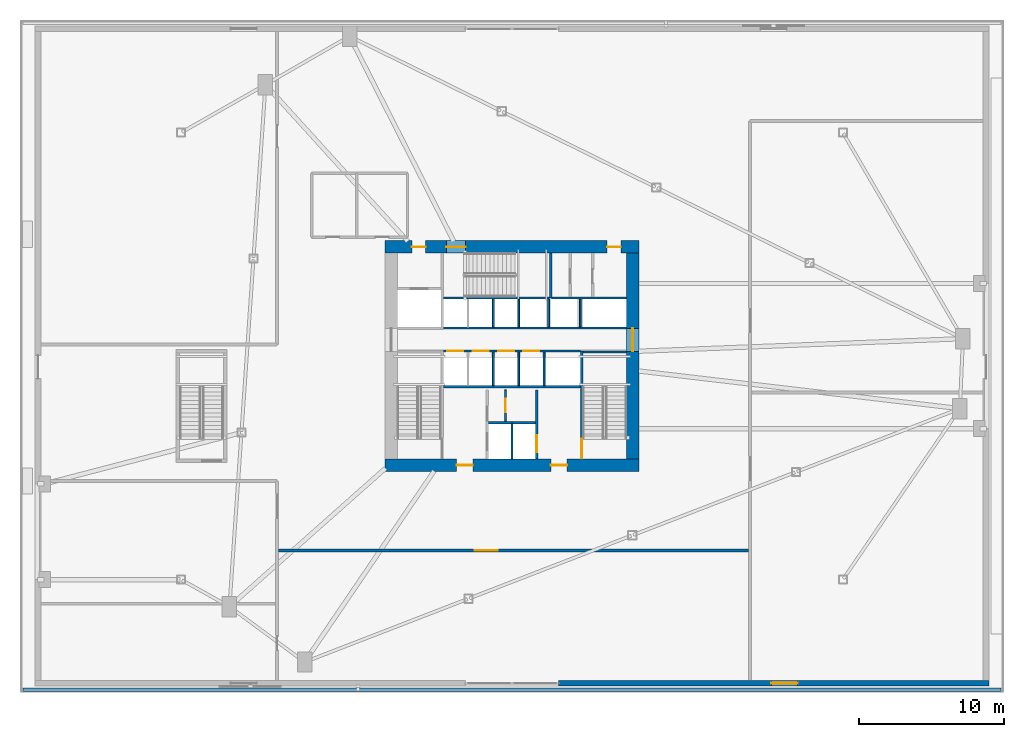
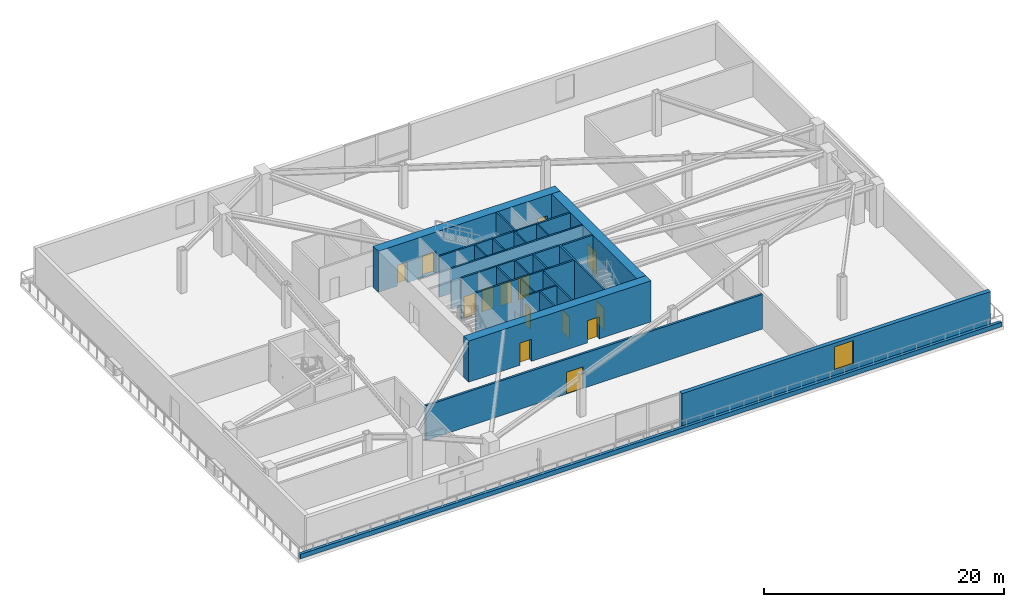
# One storey, part 9 of 16: 25 walls, 14 doors, 1 window, 15 openings.
"""IFC4 building model written with IfcOpenShell, lengths in metres."""

from ifc_helpers import new_model, si_unit, direction, frame, frame_2d, origin, place, context, subcontext, project, spatial, rectangle, extrude, source, transform, mapped, material, layer, layer_set, type_object, type_shapes, element, fill, save


model = new_model("IFC4")

# Units and contexts
model_context = context("Model", 3, precision=1e-05, world=origin(), true_north=direction((0.0, 1.0)))
body_context = subcontext(model_context, "Body", "Model", "MODEL_VIEW")
ifc_project = project(units=[si_unit("LENGTHUNIT", "METRE"), si_unit("AREAUNIT", "SQUARE_METRE"), si_unit("VOLUMEUNIT", "CUBIC_METRE"), si_unit("PLANEANGLEUNIT", "RADIAN"), si_unit("MASSUNIT", "GRAM", prefix="KILO")], contexts=[model_context])

# Site, building, storey
site_placement = place(None, origin())
site = spatial("IfcSite", under=ifc_project, at=site_placement, CompositionType="ELEMENT")
building_placement = place(site_placement, origin())
building = spatial("IfcBuilding", under=site, at=building_placement, Name="Olszyna Solenne Hotel", CompositionType="ELEMENT")
storey_placement = place(building_placement, frame((0.0, 0.0, 15.60009765625)))
storey = spatial("IfcBuildingStorey", under=building, at=storey_placement, Name="L03", CompositionType="ELEMENT", Elevation=15.60009765625)

# Wall, openings, doors
ifc_material_1 = material(Name="Concrete C60/75", Category="concrete")
ifc_layer_1 = layer(ifc_material_1, 0.85009765625, Name="Concrete C60/75")
ifc_layer_set_1 = layer_set([ifc_layer_1], Name="Concrete C60/75")
wall_type_1 = type_object("IfcWallType", Name="WL-CR850", PredefinedType="SHEAR", material=ifc_layer_set_1)
wall_1_placement = place(storey_placement, frame((46.75, 19.074951171875, 0.0), z_axis=(0.0, 0.0, 1.0), x_axis=(-1.0, 0.0, 0.0)))
wall_1 = element("IfcWall", 1, at=wall_1_placement, inside=storey, type_object=wall_type_1, Name="Core shear wall WL-CR850 CRW-L03-S", PredefinedType="SHEAR", context=body_context, shape_type="SweptSolid", body=[
    extrude(rectangle(XDim=17.5, YDim=0.85009765625, at=frame_2d((8.75, 0.0))), origin(), (0.0, 0.0, 1.0), 4.179931640625),
])
opening_1_placement = place(wall_1_placement, frame((4.949951171875, 0.0, 0.0)))
opening_1 = element("IfcOpeningElement", 2, at=opening_1_placement, cuts=wall_1, Name="Opening FL-L03-1", PredefinedType="OPENING", context=body_context, shape_type="SweptSolid", body=[
    extrude(rectangle(XDim=1.1201171875, YDim=2.25, at=frame_2d((0.56005859375, 1.125))), frame((0.0, 0.43505859375, 0.0), z_axis=(0.0, -1.0, 0.0), x_axis=(1.0, 0.0, 0.0)), (0.0, 0.0, 1.0), 0.8701171875),
])
opening_2_placement = place(wall_1_placement, frame((11.449951171875, 0.0, 0.0)))
opening_2 = element("IfcOpeningElement", 3, at=opening_2_placement, cuts=wall_1, Name="Opening FL-L03-2", PredefinedType="OPENING", context=body_context, shape_type="SweptSolid", body=[
    extrude(rectangle(XDim=1.1201171875, YDim=2.25, at=frame_2d((0.56005859375, 1.125))), frame((0.0, 0.43505859375, 0.0), z_axis=(0.0, -1.0, 0.0), x_axis=(1.0, 0.0, 0.0)), (0.0, 0.0, 1.0), 0.8701171875),
])
ifc_material_2 = material(Name="Steel S355J2", Category="steel")
door_type_1 = type_object("IfcDoorType", Name="DR-FL1", OperationType="NOTDEFINED", PredefinedType="DOOR", material=ifc_material_2)
shared_shape_1 = source(origin(), body_context, "Body", "SweptSolid", [
    extrude(rectangle(XDim=1.1201171875, YDim=2.25, at=frame_2d((0.56005859375, 1.125))), frame((0.0, 0.02490234375, 0.0), z_axis=(0.0, -1.0, 0.0), x_axis=(1.0, 0.0, 0.0)), (0.0, 0.0, 1.0), 0.050048828125),
])
type_shapes(door_type_1, [shared_shape_1])
door_1_placement = place(opening_1_placement, origin())
door_1 = element("IfcDoor", 4, at=door_1_placement, inside=storey, type_object=door_type_1, Name="Firefighting lift lobby smoke door FL-L03-1", OperationType="SINGLE_SWING_LEFT", OverallHeight=2.25, OverallWidth=1.1201171875, PredefinedType="DOOR", context=body_context, shape_type="MappedRepresentation", body=[
    mapped(shared_shape_1, transform((0.0, 0.0, 0.0), x_axis=(1.0, 0.0, 0.0), y_axis=(0.0, 1.0, 0.0), z_axis=(0.0, 0.0, 1.0), scale=1.0)),
])
fill(opening_1, door_1)
door_2_placement = place(opening_2_placement, origin())
door_2 = element("IfcDoor", 5, at=door_2_placement, inside=storey, type_object=door_type_1, Name="Firefighting lift lobby smoke door FL-L03-2", OperationType="SINGLE_SWING_RIGHT", OverallHeight=2.25, OverallWidth=1.1201171875, PredefinedType="DOOR", context=body_context, shape_type="MappedRepresentation", body=[
    mapped(shared_shape_1, transform((0.0, 0.0, 0.0), x_axis=(1.0, 0.0, 0.0), y_axis=(0.0, 1.0, 0.0), z_axis=(0.0, 0.0, 1.0), scale=1.0)),
])
fill(opening_2, door_2)

wall_2_placement = place(storey_placement, frame((29.25, 34.125, 0.0), z_axis=(0.0, 0.0, 1.0), x_axis=(1.0, 0.0, 0.0)))
wall_2 = element("IfcWall", 6, at=wall_2_placement, inside=storey, type_object=wall_type_1, Name="Core shear wall WL-CR850 CRW-L03-N", PredefinedType="SHEAR", context=body_context, shape_type="SweptSolid", body=[
    extrude(rectangle(XDim=17.5, YDim=0.85009765625, at=frame_2d((8.75, 0.0))), origin(), (0.0, 0.0, 1.0), 4.179931640625),
])
opening_3_placement = place(wall_2_placement, frame((1.85009765625, 0.0, 0.0)))
opening_3 = element("IfcOpeningElement", 7, at=opening_3_placement, cuts=wall_2, Name="Opening SVD-L03-01", PredefinedType="OPENING", context=body_context, shape_type="SweptSolid", body=[
    extrude(rectangle(XDim=0.949951171875, YDim=2.10009765625, at=frame_2d((0.47509765625, 1.050048828125))), frame((0.0, 0.43505859375, 0.0), z_axis=(0.0, -1.0, 0.0), x_axis=(1.0, 0.0, 0.0)), (0.0, 0.0, 1.0), 0.8701171875),
])
opening_4_placement = place(wall_2_placement, frame((4.22998046875, 0.0, 0.0)))
opening_4 = element("IfcOpeningElement", 8, at=opening_4_placement, cuts=wall_2, Name="Opening STD-L03-03", PredefinedType="OPENING", context=body_context, shape_type="SweptSolid", body=[
    extrude(rectangle(XDim=1.320068359375, YDim=2.199951171875, at=frame_2d((0.66015625, 1.10009765625))), frame((0.0, 0.43505859375, 0.0), z_axis=(0.0, -1.0, 0.0), x_axis=(1.0, 0.0, 0.0)), (0.0, 0.0, 1.0), 0.8701171875),
])
opening_5_placement = place(wall_2_placement, frame((15.300048828125, 0.0, 0.0)))
opening_5 = element("IfcOpeningElement", 9, at=opening_5_placement, cuts=wall_2, Name="Opening SVD-L03-BN", PredefinedType="OPENING", context=body_context, shape_type="SweptSolid", body=[
    extrude(rectangle(XDim=0.949951171875, YDim=2.10009765625, at=frame_2d((0.47509765625, 1.050048828125))), frame((0.0, 0.43505859375, 0.0), z_axis=(0.0, -1.0, 0.0), x_axis=(1.0, 0.0, 0.0)), (0.0, 0.0, 1.0), 0.8701171875),
])
door_type_2 = type_object("IfcDoorType", Name="DR-ST1", OperationType="NOTDEFINED", PredefinedType="DOOR", material=ifc_material_2)
shared_shape_2 = source(origin(), body_context, "Body", "SweptSolid", [
    extrude(rectangle(XDim=1.320068359375, YDim=2.199951171875, at=frame_2d((0.66015625, 1.10009765625))), frame((0.0, 0.02490234375, 0.0), z_axis=(0.0, -1.0, 0.0), x_axis=(1.0, 0.0, 0.0)), (0.0, 0.0, 1.0), 0.050048828125),
])
type_shapes(door_type_2, [shared_shape_2])
door_3_placement = place(opening_4_placement, origin())
door_3 = element("IfcDoor", 10, at=door_3_placement, inside=storey, type_object=door_type_2, Name="Pressurised exit stair ST3 fire door STD-L03-03", OperationType="SINGLE_SWING_RIGHT", OverallHeight=2.199951171875, OverallWidth=1.320068359375, PredefinedType="DOOR", context=body_context, shape_type="MappedRepresentation", body=[
    mapped(shared_shape_2, transform((0.0, 0.0, 0.0), x_axis=(1.0, 0.0, 0.0), y_axis=(0.0, 1.0, 0.0), z_axis=(0.0, 0.0, 1.0), scale=1.0)),
])
fill(opening_4, door_3)
door_type_3 = type_object("IfcDoorType", Name="DR-SV1", OperationType="NOTDEFINED", PredefinedType="DOOR", material=ifc_material_2)
shared_shape_3 = source(origin(), body_context, "Body", "SweptSolid", [
    extrude(rectangle(XDim=0.949951171875, YDim=2.10009765625, at=frame_2d((0.47509765625, 1.050048828125))), frame((0.0, 0.02490234375, 0.0), z_axis=(0.0, -1.0, 0.0), x_axis=(1.0, 0.0, 0.0)), (0.0, 0.0, 1.0), 0.050048828125),
])
type_shapes(door_type_3, [shared_shape_3])
door_4_placement = place(opening_3_placement, origin())
door_4 = element("IfcDoor", 11, at=door_4_placement, inside=storey, type_object=door_type_3, Name="Service lift lobby fire door SVD-L03-01", OperationType="SINGLE_SWING_LEFT", OverallHeight=2.10009765625, OverallWidth=0.949951171875, PredefinedType="DOOR", context=body_context, shape_type="MappedRepresentation", body=[
    mapped(shared_shape_3, transform((0.0, 0.0, 0.0), x_axis=(1.0, 0.0, 0.0), y_axis=(0.0, 1.0, 0.0), z_axis=(0.0, 0.0, 1.0), scale=1.0)),
])
fill(opening_3, door_4)
door_5_placement = place(opening_5_placement, origin())
door_5 = element("IfcDoor", 12, at=door_5_placement, inside=storey, type_object=door_type_3, Name="Housekeeping core fire door SVD-L03-BN", OperationType="SINGLE_SWING_LEFT", OverallHeight=2.10009765625, OverallWidth=0.949951171875, PredefinedType="DOOR", context=body_context, shape_type="MappedRepresentation", body=[
    mapped(shared_shape_3, transform((0.0, 0.0, 0.0), x_axis=(1.0, 0.0, 0.0), y_axis=(0.0, 1.0, 0.0), z_axis=(0.0, 0.0, 1.0), scale=1.0)),
])
fill(opening_5, door_5)

# Wall, opening, door
wall_3_placement = place(storey_placement, frame((46.324951171875, 33.699951171875, 0.0), z_axis=(0.0, 0.0, 1.0), x_axis=(0.0, -1.0, 0.0)))
wall_3 = element("IfcWall", 13, at=wall_3_placement, inside=storey, type_object=wall_type_1, Name="Core shear wall WL-CR850 CRW-L03-E", PredefinedType="SHEAR", context=body_context, shape_type="SweptSolid", body=[
    extrude(rectangle(XDim=14.199951171875, YDim=0.85009765625, at=frame_2d((7.10009765625, 0.0))), origin(), (0.0, 0.0, 1.0), 4.179931640625),
])
opening_6_placement = place(wall_3_placement, frame((5.179931640625, 0.0, 0.0)))
opening_6 = element("IfcOpeningElement", 14, at=opening_6_placement, cuts=wall_3, Name="Opening LHD-L03-E", PredefinedType="OPENING", context=body_context, shape_type="SweptSolid", body=[
    extrude(rectangle(XDim=1.60009765625, YDim=2.199951171875, at=frame_2d((0.800048828125, 1.10009765625))), frame((0.0, 0.43505859375, 0.0), z_axis=(0.0, -1.0, 0.0), x_axis=(1.0, 0.0, 0.0)), (0.0, 0.0, 1.0), 0.8701171875),
])
ifc_material_3 = material(Name="Timber hardwood", Category="wood")
door_type_4 = type_object("IfcDoorType", Name="DR-CR1", OperationType="DOUBLE_DOOR_SINGLE_SWING", PredefinedType="DOOR", material=ifc_material_3)
shared_shape_4 = source(origin(), body_context, "Body", "SweptSolid", [
    extrude(rectangle(XDim=1.60009765625, YDim=2.199951171875, at=frame_2d((0.800048828125, 1.10009765625))), frame((0.0, 0.02490234375, 0.0), z_axis=(0.0, -1.0, 0.0), x_axis=(1.0, 0.0, 0.0)), (0.0, 0.0, 1.0), 0.050048828125),
])
type_shapes(door_type_4, [shared_shape_4])
door_6_placement = place(opening_6_placement, origin())
door_6 = element("IfcDoor", 15, at=door_6_placement, inside=storey, type_object=door_type_4, Name="Passenger lift lobby East fire door LHD-L03-E", OperationType="DOUBLE_DOOR_SINGLE_SWING", OverallHeight=2.199951171875, OverallWidth=1.60009765625, PredefinedType="DOOR", context=body_context, shape_type="MappedRepresentation", body=[
    mapped(shared_shape_4, transform((0.0, 0.0, 0.0), x_axis=(1.0, 0.0, 0.0), y_axis=(0.0, 1.0, 0.0), z_axis=(0.0, 0.0, 1.0), scale=1.0)),
])
fill(opening_6, door_6)

# Wall, opening, window
ifc_material_4 = material(Name="Terracotta cladding on precast concrete C45/55", Category="masonry")
ifc_layer_2 = layer(ifc_material_4, 0.3798828125, Name="Terracotta cladding on precast concrete C45/55")
ifc_layer_set_2 = layer_set([ifc_layer_2], Name="Terracotta cladding on precast concrete C45/55")
wall_type_2 = type_object("IfcWallType", Name="WL-EX380", PredefinedType="SOLIDWALL", material=ifc_layer_set_2)
wall_4_placement = place(storey_placement, frame((70.85009765625, 4.050048828125, 0.0), z_axis=(0.0, 0.0, 1.0), x_axis=(-1.0, 0.0, 0.0)))
wall_4 = element("IfcWall", 16, at=wall_4_placement, inside=storey, type_object=wall_type_2, Name="Podium terracotta-precast exterior wall EW-L03-SE", PredefinedType="SOLIDWALL", context=body_context, shape_type="SweptSolid", body=[
    extrude(rectangle(XDim=29.650146484375, YDim=0.3798828125, at=frame_2d((14.8251953125, 0.0))), origin(), (0.0, 0.0, 1.0), 3.621826171875),
])
opening_7_placement = place(wall_4_placement, frame((13.175048828125, 0.0, 0.85009765625)))
opening_7 = element("IfcOpeningElement", 17, at=opening_7_placement, cuts=wall_4, Name="Opening WN-L03-013", PredefinedType="OPENING", context=body_context, shape_type="SweptSolid", body=[
    extrude(rectangle(XDim=1.800048828125, YDim=2.39990234375, at=frame_2d((0.89990234375, 1.199951171875))), frame((0.0, 0.199951171875, 0.0), z_axis=(0.0, -1.0, 0.0), x_axis=(1.0, 0.0, 0.0)), (0.0, 0.0, 1.0), 0.39990234375),
])
ifc_material_5 = material(Name="Low-E triple glazing", Category="glass")
window_type = type_object("IfcWindowType", Name="WN-PD2", PartitioningType="SINGLE_PANEL", PredefinedType="WINDOW", material=ifc_material_5)
shared_shape_5 = source(origin(), body_context, "Body", "SweptSolid", [
    extrude(rectangle(XDim=1.800048828125, YDim=2.39990234375, at=frame_2d((0.89990234375, 1.199951171875))), frame((0.0, 0.030029296875, 0.0), z_axis=(0.0, -1.0, 0.0), x_axis=(1.0, 0.0, 0.0)), (0.0, 0.0, 1.0), 0.06005859375),
])
type_shapes(window_type, [shared_shape_5])
window_placement = place(opening_7_placement, origin())
window = element("IfcWindow", 18, at=window_placement, inside=storey, type_object=window_type, Name="Podium triple-glazed window WN-PD2 WN-L03-013", OverallHeight=2.39990234375, OverallWidth=1.800048828125, PartitioningType="SINGLE_PANEL", PredefinedType="WINDOW", context=body_context, shape_type="MappedRepresentation", body=[
    mapped(shared_shape_5, transform((0.0, 0.0, 0.0), x_axis=(1.0, 0.0, 0.0), y_axis=(0.0, 1.0, 0.0), z_axis=(0.0, 0.0, 1.0), scale=1.0)),
])
fill(opening_7, window)

# Walls
ifc_layer_3 = layer(ifc_material_4, 0.280029296875, Name="Terracotta cladding on precast concrete C45/55")
ifc_layer_set_3 = layer_set([ifc_layer_3], Name="Terracotta cladding on precast concrete C45/55")
wall_type_3 = type_object("IfcWallType", Name="WL-PR280", PredefinedType="PARAPET", material=ifc_layer_set_3)
wall_5_placement = place(storey_placement, frame((4.300048828125, 3.60009765625, 0.0), z_axis=(0.0, 0.0, 1.0), x_axis=(1.0, 0.0, 0.0)))
element("IfcWall", 19, at=wall_5_placement, inside=storey, type_object=wall_type_3, Name="Garden terrace parapet upstand PR-L03-S", PredefinedType="PARAPET", context=body_context, shape_type="SweptSolid", body=[
    extrude(rectangle(XDim=67.39990234375, YDim=0.280029296875, at=frame_2d((33.699951171875, 0.0))), origin(), (0.0, 0.0, 1.0), 0.449951171875),
])
ifc_material_6 = material(Name="Acoustic gypsum partition", Category="gypsum")
ifc_layer_4 = layer(ifc_material_6, 0.125, Name="Acoustic gypsum partition")
ifc_layer_set_4 = layer_set([ifc_layer_4], Name="Acoustic gypsum partition")
wall_type_4 = type_object("IfcWallType", Name="WL-PT125", PredefinedType="PARTITIONING", material=ifc_layer_set_4)
wall_6_placement = place(storey_placement, frame((38.0, 19.5, 0.0), z_axis=(0.0, 0.0, 1.0), x_axis=(0.0, 1.0, 0.0)))
element("IfcWall", 20, at=wall_6_placement, inside=storey, type_object=wall_type_4, Name="Core shaft compartment wall CW-L03-FFM", PredefinedType="PARTITIONING", context=body_context, shape_type="SweptSolid", body=[
    extrude(rectangle(XDim=2.4599609375, YDim=0.125, at=frame_2d((1.22998046875, 0.0))), origin(), (0.0, 0.0, 1.0), 4.179931640625),
])

# Wall, opening, door
wall_7_placement = place(storey_placement, frame((37.553955078125, 22.10009765625, 0.0), z_axis=(0.0, 0.0, 1.0), x_axis=(0.0, 1.0, 0.0)))
wall_7 = element("IfcWall", 21, at=wall_7_placement, inside=storey, type_object=wall_type_4, Name="Core shaft compartment wall CW-L03-SC3", PredefinedType="PARTITIONING", context=body_context, shape_type="SweptSolid", body=[
    extrude(rectangle(XDim=2.179931640625, YDim=0.125, at=frame_2d((1.08984375, 0.0))), origin(), (0.0, 0.0, 1.0), 4.179931640625),
])
opening_8_placement = place(wall_7_placement, frame((0.64990234375, 0.0, 0.0)))
opening_8 = element("IfcOpeningElement", 22, at=opening_8_placement, cuts=wall_7, Name="Opening SVD-L03-SC3", PredefinedType="OPENING", context=body_context, shape_type="SweptSolid", body=[
    extrude(rectangle(XDim=0.89990234375, YDim=2.10009765625, at=frame_2d((0.449951171875, 1.050048828125))), frame((0.0, 0.072509765625, 0.0), z_axis=(0.0, -1.0, 0.0), x_axis=(1.0, 0.0, 0.0)), (0.0, 0.0, 1.0), 0.14501953125),
])
door_type_5 = type_object("IfcDoorType", Name="DR-WC1", OperationType="NOTDEFINED", PredefinedType="DOOR", material=ifc_material_3)
shared_shape_6 = source(origin(), body_context, "Body", "SweptSolid", [
    extrude(rectangle(XDim=0.89990234375, YDim=2.10009765625, at=frame_2d((0.449951171875, 1.050048828125))), frame((0.0, 0.02490234375, 0.0), z_axis=(0.0, -1.0, 0.0), x_axis=(1.0, 0.0, 0.0)), (0.0, 0.0, 1.0), 0.050048828125),
])
type_shapes(door_type_5, [shared_shape_6])
door_7_placement = place(opening_8_placement, origin())
door_7 = element("IfcDoor", 23, at=door_7_placement, inside=storey, type_object=door_type_5, Name="Trolley bay door SVD-L03-SC3", OperationType="SINGLE_SWING_LEFT", OverallHeight=2.10009765625, OverallWidth=0.89990234375, PredefinedType="DOOR", context=body_context, shape_type="MappedRepresentation", body=[
    mapped(shared_shape_6, transform((0.0, 0.0, 0.0), x_axis=(1.0, 0.0, 0.0), y_axis=(0.0, 1.0, 0.0), z_axis=(0.0, 0.0, 1.0), scale=1.0)),
])
fill(opening_8, door_7)

# Walls
for number, where, z_axis, x_axis, name in (
    (24, (36.715087890625, 24.56005859375, 0.0), (0.0, 0.0, 1.0), (0.0, 1.0, 0.0), "Core shaft compartment wall CW-L03-DIVS367"),
    (25, (38.465087890625, 24.56005859375, 0.0), (0.0, 0.0, 1.0), (0.0, 1.0, 0.0), "Core shaft compartment wall CW-L03-DIVS384"),
    (26, (40.215087890625, 24.56005859375, 0.0), (0.0, 0.0, 1.0), (0.0, 1.0, 0.0), "Core shaft compartment wall CW-L03-DIVS402"),
):
    element("IfcWall", number, at=place(storey_placement, frame(where, z_axis=z_axis, x_axis=x_axis)), inside=storey, type_object=wall_type_4, Name=name, PredefinedType="PARTITIONING", context=body_context, shape_type="SweptSolid", body=[
        extrude(rectangle(XDim=2.31005859375, YDim=0.125, at=frame_2d((1.155029296875, 0.0))), origin(), (0.0, 0.0, 1.0), 4.179931640625),
    ])
for number, where, z_axis, x_axis, name in (
    (27, (36.715087890625, 28.60009765625, 0.0), (0.0, 0.0, 1.0), (0.0, 1.0, 0.0), "Core shaft compartment wall CW-L03-DIVN367"),
    (28, (38.465087890625, 28.60009765625, 0.0), (0.0, 0.0, 1.0), (0.0, 1.0, 0.0), "Core shaft compartment wall CW-L03-DIVN384"),
    (29, (40.52490234375, 28.60009765625, 0.0), (0.0, 0.0, 1.0), (0.0, 1.0, 0.0), "Core shaft compartment wall CW-L03-DIVEX405"),
    (30, (42.699951171875, 28.60009765625, 0.0), (0.0, 0.0, 1.0), (0.0, 1.0, 0.0), "Core shaft compartment wall CW-L03-DIVEX427"),
):
    element("IfcWall", number, at=place(storey_placement, frame(where, z_axis=z_axis, x_axis=x_axis)), inside=storey, type_object=wall_type_4, Name=name, PredefinedType="PARTITIONING", context=body_context, shape_type="SweptSolid", body=[
        extrude(rectangle(XDim=1.919921875, YDim=0.125, at=frame_2d((0.9599609375, 0.0))), origin(), (0.0, 0.0, 1.0), 4.179931640625),
    ])

# Wall, opening, door
ifc_layer_5 = layer(ifc_material_6, 0.159912109375, Name="Acoustic gypsum partition")
ifc_layer_set_5 = layer_set([ifc_layer_5], Name="Acoustic gypsum partition")
wall_type_5 = type_object("IfcWallType", Name="WL-PT160", PredefinedType="PARTITIONING", material=ifc_layer_set_5)
wall_8_placement = place(storey_placement, frame((42.800048828125, 26.9599609375, 0.0), z_axis=(0.0, 0.0, 1.0), x_axis=(0.0, -1.0, 0.0)))
wall_8 = element("IfcWall", 31, at=wall_8_placement, inside=storey, type_object=wall_type_5, Name="Core shaft compartment wall CW-L03-ST2W", PredefinedType="PARTITIONING", context=body_context, shape_type="SweptSolid", body=[
    extrude(rectangle(XDim=7.4599609375, YDim=0.159912109375, at=frame_2d((3.72998046875, 0.0))), origin(), (0.0, 0.0, 1.0), 4.179931640625),
])
opening_9_placement = place(wall_8_placement, frame((6.06005859375, 0.0, 0.0)))
opening_9 = element("IfcOpeningElement", 32, at=opening_9_placement, cuts=wall_8, Name="Opening STD-L03-02", PredefinedType="OPENING", context=body_context, shape_type="SweptSolid", body=[
    extrude(rectangle(XDim=1.320068359375, YDim=2.199951171875, at=frame_2d((0.66015625, 1.10009765625))), frame((0.0, 0.08984375, 0.0), z_axis=(0.0, -1.0, 0.0), x_axis=(1.0, 0.0, 0.0)), (0.0, 0.0, 1.0), 0.179931640625),
])
door_8_placement = place(opening_9_placement, origin())
door_8 = element("IfcDoor", 33, at=door_8_placement, inside=storey, type_object=door_type_2, Name="Pressurised exit stair ST2 fire door STD-L03-02", OperationType="SINGLE_SWING_RIGHT", OverallHeight=2.199951171875, OverallWidth=1.320068359375, PredefinedType="DOOR", context=body_context, shape_type="MappedRepresentation", body=[
    mapped(shared_shape_2, transform((0.0, 0.0, 0.0), x_axis=(1.0, 0.0, 0.0), y_axis=(0.0, 1.0, 0.0), z_axis=(0.0, 0.0, 1.0), scale=1.0)),
])
fill(opening_9, door_8)

# Walls
wall_9_placement = place(storey_placement, frame((42.8798828125, 26.8798828125, 0.0), z_axis=(0.0, 0.0, 1.0), x_axis=(1.0, 0.0, 0.0)))
element("IfcWall", 34, at=wall_9_placement, inside=storey, type_object=wall_type_5, Name="Core shaft compartment wall CW-L03-ST2N", PredefinedType="PARTITIONING", context=body_context, shape_type="SweptSolid", body=[
    extrude(rectangle(XDim=3.02001953125, YDim=0.159912109375, at=frame_2d((1.510009765625, 0.0))), origin(), (0.0, 0.0, 1.0), 4.179931640625),
])
wall_10_placement = place(storey_placement, frame((33.280029296875, 30.60009765625, 0.0), z_axis=(0.0, 0.0, 1.0), x_axis=(1.0, 0.0, 0.0)))
element("IfcWall", 35, at=wall_10_placement, inside=storey, type_object=wall_type_5, Name="Core shaft compartment wall CW-L03-ST3S", PredefinedType="PARTITIONING", context=body_context, shape_type="SweptSolid", body=[
    extrude(rectangle(XDim=7.300048828125, YDim=0.159912109375, at=frame_2d((3.64990234375, 0.0))), origin(), (0.0, 0.0, 1.0), 4.179931640625),
])
wall_11_placement = place(storey_placement, frame((40.659912109375, 30.60009765625, 0.0), z_axis=(0.0, 0.0, 1.0), x_axis=(0.0, 1.0, 0.0)))
element("IfcWall", 36, at=wall_11_placement, inside=storey, type_object=wall_type_5, Name="Core shaft compartment wall CW-L03-ST3E", PredefinedType="PARTITIONING", context=body_context, shape_type="SweptSolid", body=[
    extrude(rectangle(XDim=3.099853515625, YDim=0.159912109375, at=frame_2d((1.5498046875, 0.0))), origin(), (0.0, 0.0, 1.0), 4.179931640625),
])

# Wall, opening, door
wall_12_placement = place(storey_placement, frame((39.699951171875, 24.280029296875, 0.0), z_axis=(0.0, 0.0, 1.0), x_axis=(0.0, -1.0, 0.0)))
wall_12 = element("IfcWall", 37, at=wall_12_placement, inside=storey, type_object=wall_type_5, Name="Core shaft compartment wall CW-L03-FF2E", PredefinedType="PARTITIONING", context=body_context, shape_type="SweptSolid", body=[
    extrude(rectangle(XDim=4.780029296875, YDim=0.159912109375, at=frame_2d((2.39013671875, 0.0))), origin(), (0.0, 0.0, 1.0), 4.179931640625),
])
opening_10_placement = place(wall_12_placement, frame((3.1201171875, 0.0, 0.0)))
opening_10 = element("IfcOpeningElement", 38, at=opening_10_placement, cuts=wall_12, Name="Opening LD-L03-FF2", PredefinedType="OPENING", context=body_context, shape_type="SweptSolid", body=[
    extrude(rectangle(XDim=1.199951171875, YDim=2.199951171875, at=frame_2d((0.60009765625, 1.10009765625))), frame((0.0, 0.08984375, 0.0), z_axis=(0.0, -1.0, 0.0), x_axis=(1.0, 0.0, 0.0)), (0.0, 0.0, 1.0), 0.179931640625),
])
door_type_6 = type_object("IfcDoorType", Name="LD-FF1", OperationType="DOUBLE_DOOR_SLIDING", PredefinedType="DOOR", material=ifc_material_2)
shared_shape_7 = source(origin(), body_context, "Body", "SweptSolid", [
    extrude(rectangle(XDim=1.199951171875, YDim=2.199951171875, at=frame_2d((0.60009765625, 1.10009765625))), frame((0.0, 0.02490234375, 0.0), z_axis=(0.0, -1.0, 0.0), x_axis=(1.0, 0.0, 0.0)), (0.0, 0.0, 1.0), 0.050048828125),
])
type_shapes(door_type_6, [shared_shape_7])
door_9_placement = place(opening_10_placement, origin())
door_9 = element("IfcDoor", 39, at=door_9_placement, inside=storey, type_object=door_type_6, Name="Firefighters lift FF2 sliding landing door LD-L03-FF2", OperationType="DOUBLE_DOOR_SLIDING", OverallHeight=2.199951171875, OverallWidth=1.199951171875, PredefinedType="DOOR", context=body_context, shape_type="MappedRepresentation", body=[
    mapped(shared_shape_7, transform((0.0, 0.0, 0.0), x_axis=(1.0, 0.0, 0.0), y_axis=(0.0, 1.0, 0.0), z_axis=(0.0, 0.0, 1.0), scale=1.0)),
])
fill(opening_10, door_9)

# Walls
wall_13_placement = place(storey_placement, frame((36.3798828125, 22.02001953125, 0.0), z_axis=(0.0, 0.0, 1.0), x_axis=(1.0, 0.0, 0.0)))
element("IfcWall", 40, at=wall_13_placement, inside=storey, type_object=wall_type_5, Name="Core shaft compartment wall CW-L03-FFN", PredefinedType="PARTITIONING", context=body_context, shape_type="SweptSolid", body=[
    extrude(rectangle(XDim=3.240234375, YDim=0.159912109375, at=frame_2d((1.6201171875, 0.0))), origin(), (0.0, 0.0, 1.0), 4.179931640625),
])
wall_14_placement = place(storey_placement, frame((33.280029296875, 24.489990234375, 0.0), z_axis=(0.0, 0.0, 1.0), x_axis=(1.0, 0.0, 0.0)))
element("IfcWall", 41, at=wall_14_placement, inside=storey, type_object=wall_type_5, Name="Core shaft compartment wall CW-L03-FFBN", PredefinedType="PARTITIONING", context=body_context, shape_type="SweptSolid", body=[
    extrude(rectangle(XDim=9.43994140625, YDim=0.159912109375, at=frame_2d((4.719970703125, 0.0))), origin(), (0.0, 0.0, 1.0), 4.179931640625),
])

# Wall, openings, doors
wall_15_placement = place(storey_placement, frame((33.280029296875, 26.949951171875, 0.0), z_axis=(0.0, 0.0, 1.0), x_axis=(1.0, 0.0, 0.0)))
wall_15 = element("IfcWall", 42, at=wall_15_placement, inside=storey, type_object=wall_type_5, Name="Core shaft compartment wall CW-L03-LRS", PredefinedType="PARTITIONING", context=body_context, shape_type="SweptSolid", body=[
    extrude(rectangle(XDim=9.43994140625, YDim=0.159912109375, at=frame_2d((4.719970703125, 0.0))), origin(), (0.0, 0.0, 1.0), 4.179931640625),
])
opening_11_placement = place(wall_15_placement, frame((0.260009765625, 0.0, 0.0)))
opening_11 = element("IfcOpeningElement", 43, at=opening_11_placement, cuts=wall_15, Name="Opening LD-L03-PL1", PredefinedType="OPENING", context=body_context, shape_type="SweptSolid", body=[
    extrude(rectangle(XDim=1.10009765625, YDim=2.199951171875, at=frame_2d((0.550048828125, 1.10009765625))), frame((0.0, 0.08984375, 0.0), z_axis=(0.0, -1.0, 0.0), x_axis=(1.0, 0.0, 0.0)), (0.0, 0.0, 1.0), 0.179931640625),
])
opening_12_placement = place(wall_15_placement, frame((2.010009765625, 0.0, 0.0)))
opening_12 = element("IfcOpeningElement", 44, at=opening_12_placement, cuts=wall_15, Name="Opening LD-L03-PL2", PredefinedType="OPENING", context=body_context, shape_type="SweptSolid", body=[
    extrude(rectangle(XDim=1.10009765625, YDim=2.199951171875, at=frame_2d((0.550048828125, 1.10009765625))), frame((0.0, 0.08984375, 0.0), z_axis=(0.0, -1.0, 0.0), x_axis=(1.0, 0.0, 0.0)), (0.0, 0.0, 1.0), 0.179931640625),
])
opening_13_placement = place(wall_15_placement, frame((3.760009765625, 0.0, 0.0)))
opening_13 = element("IfcOpeningElement", 45, at=opening_13_placement, cuts=wall_15, Name="Opening LD-L03-PL3", PredefinedType="OPENING", context=body_context, shape_type="SweptSolid", body=[
    extrude(rectangle(XDim=1.10009765625, YDim=2.199951171875, at=frame_2d((0.550048828125, 1.10009765625))), frame((0.0, 0.08984375, 0.0), z_axis=(0.0, -1.0, 0.0), x_axis=(1.0, 0.0, 0.0)), (0.0, 0.0, 1.0), 0.179931640625),
])
opening_14_placement = place(wall_15_placement, frame((5.510009765625, 0.0, 0.0)))
opening_14 = element("IfcOpeningElement", 46, at=opening_14_placement, cuts=wall_15, Name="Opening LD-L03-PL4", PredefinedType="OPENING", context=body_context, shape_type="SweptSolid", body=[
    extrude(rectangle(XDim=1.10009765625, YDim=2.199951171875, at=frame_2d((0.550048828125, 1.10009765625))), frame((0.0, 0.08984375, 0.0), z_axis=(0.0, -1.0, 0.0), x_axis=(1.0, 0.0, 0.0)), (0.0, 0.0, 1.0), 0.179931640625),
])
door_type_7 = type_object("IfcDoorType", Name="LD-P1", OperationType="DOUBLE_DOOR_SLIDING", PredefinedType="DOOR", material=ifc_material_2)
shared_shape_8 = source(origin(), body_context, "Body", "SweptSolid", [
    extrude(rectangle(XDim=1.10009765625, YDim=2.199951171875, at=frame_2d((0.550048828125, 1.10009765625))), frame((0.0, 0.02490234375, 0.0), z_axis=(0.0, -1.0, 0.0), x_axis=(1.0, 0.0, 0.0)), (0.0, 0.0, 1.0), 0.050048828125),
])
type_shapes(door_type_7, [shared_shape_8])
door_10_placement = place(opening_11_placement, origin())
door_10 = element("IfcDoor", 47, at=door_10_placement, inside=storey, type_object=door_type_7, Name="Passenger lift PL1 sliding landing door LD-L03-PL1", OperationType="DOUBLE_DOOR_SLIDING", OverallHeight=2.199951171875, OverallWidth=1.10009765625, PredefinedType="DOOR", context=body_context, shape_type="MappedRepresentation", body=[
    mapped(shared_shape_8, transform((0.0, 0.0, 0.0), x_axis=(1.0, 0.0, 0.0), y_axis=(0.0, 1.0, 0.0), z_axis=(0.0, 0.0, 1.0), scale=1.0)),
])
fill(opening_11, door_10)
door_11_placement = place(opening_12_placement, origin())
door_11 = element("IfcDoor", 48, at=door_11_placement, inside=storey, type_object=door_type_7, Name="Passenger lift PL2 sliding landing door LD-L03-PL2", OperationType="DOUBLE_DOOR_SLIDING", OverallHeight=2.199951171875, OverallWidth=1.10009765625, PredefinedType="DOOR", context=body_context, shape_type="MappedRepresentation", body=[
    mapped(shared_shape_8, transform((0.0, 0.0, 0.0), x_axis=(1.0, 0.0, 0.0), y_axis=(0.0, 1.0, 0.0), z_axis=(0.0, 0.0, 1.0), scale=1.0)),
])
fill(opening_12, door_11)
door_12_placement = place(opening_13_placement, origin())
door_12 = element("IfcDoor", 49, at=door_12_placement, inside=storey, type_object=door_type_7, Name="Passenger lift PL3 sliding landing door LD-L03-PL3", OperationType="DOUBLE_DOOR_SLIDING", OverallHeight=2.199951171875, OverallWidth=1.10009765625, PredefinedType="DOOR", context=body_context, shape_type="MappedRepresentation", body=[
    mapped(shared_shape_8, transform((0.0, 0.0, 0.0), x_axis=(1.0, 0.0, 0.0), y_axis=(0.0, 1.0, 0.0), z_axis=(0.0, 0.0, 1.0), scale=1.0)),
])
fill(opening_13, door_12)
door_13_placement = place(opening_14_placement, origin())
door_13 = element("IfcDoor", 50, at=door_13_placement, inside=storey, type_object=door_type_7, Name="Passenger lift PL4 sliding landing door LD-L03-PL4", OperationType="DOUBLE_DOOR_SLIDING", OverallHeight=2.199951171875, OverallWidth=1.10009765625, PredefinedType="DOOR", context=body_context, shape_type="MappedRepresentation", body=[
    mapped(shared_shape_8, transform((0.0, 0.0, 0.0), x_axis=(1.0, 0.0, 0.0), y_axis=(0.0, 1.0, 0.0), z_axis=(0.0, 0.0, 1.0), scale=1.0)),
])
fill(opening_14, door_13)

# Walls
wall_16_placement = place(storey_placement, frame((33.280029296875, 28.5400390625, 0.0), z_axis=(0.0, 0.0, 1.0), x_axis=(1.0, 0.0, 0.0)))
element("IfcWall", 51, at=wall_16_placement, inside=storey, type_object=wall_type_5, Name="Core shaft compartment wall CW-L03-LRN", PredefinedType="PARTITIONING", context=body_context, shape_type="SweptSolid", body=[
    extrude(rectangle(XDim=12.619873046875, YDim=0.159912109375, at=frame_2d((6.31005859375, 0.0))), origin(), (0.0, 0.0, 1.0), 4.179931640625),
])
wall_17_placement = place(storey_placement, frame((40.719970703125, 30.60009765625, 0.0), z_axis=(0.0, 0.0, 1.0), x_axis=(1.0, 0.0, 0.0)))
element("IfcWall", 52, at=wall_17_placement, inside=storey, type_object=wall_type_5, Name="Core shaft compartment wall CW-L03-LRNTOP", PredefinedType="PARTITIONING", context=body_context, shape_type="SweptSolid", body=[
    extrude(rectangle(XDim=5.179931640625, YDim=0.159912109375, at=frame_2d((2.58984375, 0.0))), origin(), (0.0, 0.0, 1.0), 4.179931640625),
])

# Wall, opening, door
ifc_layer_6 = layer(ifc_material_6, 0.199951171875, Name="Acoustic gypsum partition")
ifc_layer_set_6 = layer_set([ifc_layer_6], Name="Acoustic gypsum partition")
wall_type_6 = type_object("IfcWallType", Name="WL-PT200", PredefinedType="PARTITIONING", material=ifc_layer_set_6)
wall_18_placement = place(storey_placement, frame((21.919921875, 13.199951171875, 0.0), z_axis=(0.0, 0.0, 1.0), x_axis=(1.0, 0.0, 0.0)))
wall_18 = element("IfcWall", 53, at=wall_18_placement, inside=storey, type_object=wall_type_6, Name="Interior acoustic partition WL-PT200 PW-L03-0233", PredefinedType="PARTITIONING", context=body_context, shape_type="SweptSolid", body=[
    extrude(rectangle(XDim=32.360107421875, YDim=0.199951171875, at=frame_2d((16.18017578125, 0.0))), origin(), (0.0, 0.0, 1.0), 3.52978515625),
])
opening_15_placement = place(wall_18_placement, frame((13.5, 0.0, 0.0)))
opening_15 = element("IfcOpeningElement", 54, at=opening_15_placement, cuts=wall_18, Name="Opening DR-L03-0048", PredefinedType="OPENING", context=body_context, shape_type="SweptSolid", body=[
    extrude(rectangle(XDim=1.60009765625, YDim=2.199951171875, at=frame_2d((0.800048828125, 1.10009765625))), frame((0.0, 0.10986328125, 0.0), z_axis=(0.0, -1.0, 0.0), x_axis=(1.0, 0.0, 0.0)), (0.0, 0.0, 1.0), 0.219970703125),
])
door_14_placement = place(opening_15_placement, origin())
door_14 = element("IfcDoor", 55, at=door_14_placement, inside=storey, type_object=door_type_4, Name="Main Hall Entrance DR-L03-0048", OperationType="DOUBLE_DOOR_SINGLE_SWING", OverallHeight=2.199951171875, OverallWidth=1.60009765625, PredefinedType="DOOR", context=body_context, shape_type="MappedRepresentation", body=[
    mapped(shared_shape_4, transform((0.0, 0.0, 0.0), x_axis=(1.0, 0.0, 0.0), y_axis=(0.0, 1.0, 0.0), z_axis=(0.0, 0.0, 1.0), scale=1.0)),
])
fill(opening_15, door_14)

save(model, "model.ifc")
